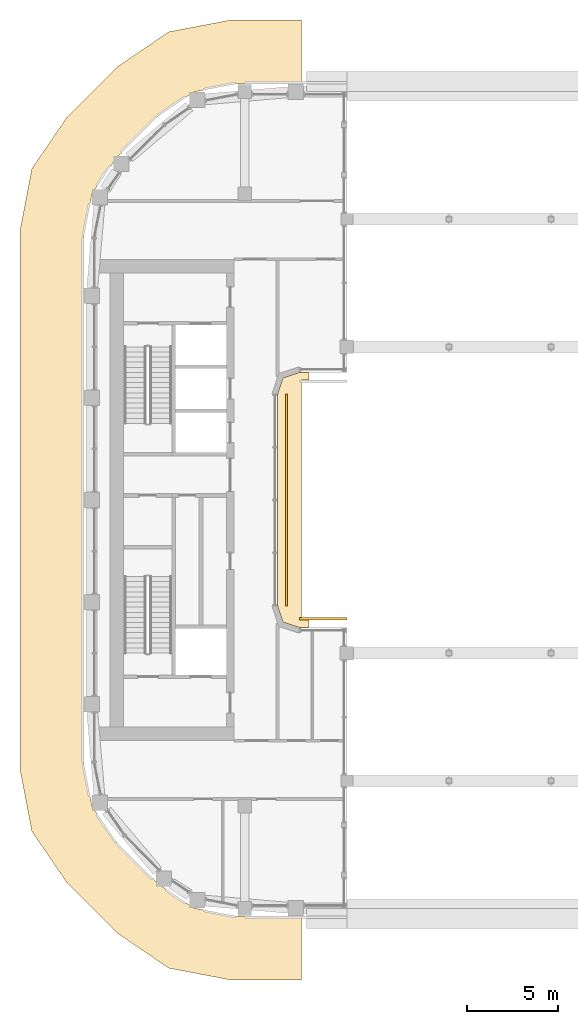
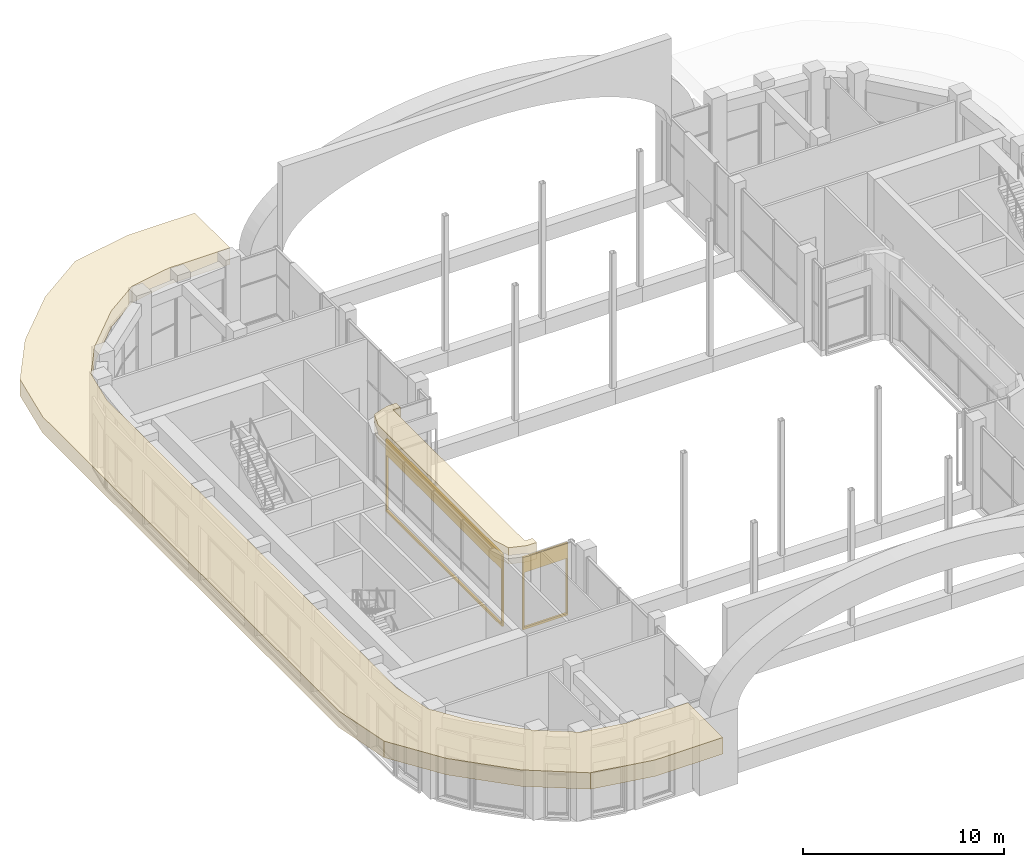
# One storey, part 21 of 26: 4 coverings.
"""IFC4 building model written with IfcOpenShell, lengths in metres."""

from ifc_helpers import new_model, si_unit, direction, frame, origin, place, context, subcontext, project, spatial, polyline, outline, extrude, material, layer, layer_set, type_object, element, save


model = new_model("IFC4")

# Units and contexts
model_context = context("Model", 3, precision=1e-05, world=origin(), true_north=direction((0.0, 1.0)))
body_context = subcontext(model_context, "Body", "Model", "MODEL_VIEW")
ifc_project = project(units=[si_unit("LENGTHUNIT", "METRE"), si_unit("AREAUNIT", "SQUARE_METRE"), si_unit("VOLUMEUNIT", "CUBIC_METRE"), si_unit("PLANEANGLEUNIT", "RADIAN"), si_unit("MASSUNIT", "GRAM", prefix="KILO")], contexts=[model_context])

# Site, building, storey
site_placement = place(None, origin())
site = spatial("IfcSite", under=ifc_project, at=site_placement, CompositionType="ELEMENT")
building_placement = place(site_placement, origin())
building = spatial("IfcBuilding", under=site, at=building_placement, Name="Kiln Ring Residences", CompositionType="ELEMENT")
storey_placement = place(building_placement, frame((0.0, 0.0, 230.89990234375)))
storey = spatial("IfcBuildingStorey", under=building, at=storey_placement, Name="L60", CompositionType="ELEMENT", Elevation=230.89990234375)

# Coverings
ifc_material_1 = material(Name="Brick masonry, dark clay brick", Category="masonry")
ifc_layer_1 = layer(ifc_material_1, 0.1201171875)
ifc_layer_set_1 = layer_set([ifc_layer_1], Name="RAINSCREEN PANEL 120")
covering_type_1 = type_object("IfcCoveringType", Name="RAINSCREEN PANEL 120", PredefinedType="CLADDING", material=ifc_layer_set_1)
covering_1_placement = place(storey_placement, frame((-11.199951171875, -6.514892578125, 0.0), z_axis=(0.0, 0.0, 1.0), x_axis=(-1.0, 0.0, 0.0)))
element("IfcCovering", 1, at=covering_1_placement, inside=storey, type_object=covering_type_1, Name="RAINSCREEN L60", PredefinedType="CLADDING", context=body_context, shape_type="SweptSolid", body=[
    extrude(outline(polyline([(0.0, 0.0), (2.60009765625, 0.0), (2.60009765625, 4.400146484375), (0.0, 4.400146484375), (0.0, 0.0)]), holes=[polyline([(0.080078125, 3.47021484375), (0.080078125, 0.130126953125), (2.52001953125, 0.130126953125), (2.52001953125, 3.47021484375), (0.080078125, 3.47021484375)])]), frame((0.0, 0.06005859375, 0.0), z_axis=(0.0, -1.0, 0.0), x_axis=(1.0, 0.0, 0.0)), (0.0, 0.0, 1.0), 0.1201171875),
])
covering_2_placement = place(storey_placement, frame((-14.514892578125, -5.800048828125, 0.0), z_axis=(0.0, 0.0, 1.0), x_axis=(0.0, 1.0, 0.0)))
element("IfcCovering", 2, at=covering_2_placement, inside=storey, type_object=covering_type_1, Name="RAINSCREEN L60", PredefinedType="CLADDING", context=body_context, shape_type="SweptSolid", body=[
    extrude(outline(polyline([(0.0, 0.0), (11.60009765625, 0.0), (11.60009765625, 4.400146484375), (0.0, 4.400146484375), (0.0, 0.0)]), holes=[polyline([(0.080078125, 3.47021484375), (0.080078125, 0.130126953125), (11.52001953125, 0.130126953125), (11.52001953125, 3.47021484375), (0.080078125, 3.47021484375)])]), frame((0.0, 0.06005859375, 0.0), z_axis=(0.0, -1.0, 0.0), x_axis=(1.0, 0.0, 0.0)), (0.0, 0.0, 1.0), 0.1201171875),
])
ifc_material_2 = material(Name="Black powder-coated steel", Category="steel")
ifc_layer_2 = layer(ifc_material_2, 1.0)
ifc_layer_set_2 = layer_set([ifc_layer_2], Name="SUNSHADE FIN 3500")
covering_type_2 = type_object("IfcCoveringType", Name="SUNSHADE FIN 3500", PredefinedType="CLADDING", material=ifc_layer_set_2)
placement = place(storey_placement, frame((0.0, 0.0, 4.400146484375)))
element("IfcCovering", 3, at=placement, inside=storey, type_object=covering_type_2, Name="SUNSHADE FIN L60", PredefinedType="CLADDING", context=body_context, shape_type="SweptSolid", body=[
    extrude(outline(polyline([(-28.47900390625, 18.158203125), (-29.125, 14.77099609375), (-29.125, -14.77099609375), (-28.47900390625, -18.158203125), (-26.540771484375, -21.010009765625), (-23.81005859375, -23.74072265625), (-20.958251953125, -25.678955078125), (-17.571044921875, -26.324951171875), (-13.699951171875, -26.324951171875), (-13.699951171875, -22.824951171875), (-17.240234375, -22.824951171875), (-19.59033203125, -22.376708984375), (-21.569091796875, -21.031982421875), (-23.831787109375, -18.769287109375), (-25.1767578125, -16.790283203125), (-25.625, -14.440185546875), (-25.625, 14.440185546875), (-25.1767578125, 16.790283203125), (-23.831787109375, 18.769287109375), (-21.569091796875, 21.031982421875), (-19.59033203125, 22.376708984375), (-17.240234375, 22.824951171875), (-13.699951171875, 22.824951171875), (-13.699951171875, 26.324951171875), (-17.571044921875, 26.324951171875), (-20.958251953125, 25.678955078125), (-23.81005859375, 23.74072265625), (-26.540771484375, 21.010009765625), (-28.47900390625, 18.158203125)])), origin(), (0.0, 0.0, 1.0), 1.0),
])
element("IfcCovering", 4, at=placement, inside=storey, type_object=covering_type_2, Name="SUNSHADE FIN L60", PredefinedType="CLADDING", context=body_context, shape_type="SweptSolid", body=[
    extrude(outline(polyline([(-13.699951171875, -6.574951171875), (-13.699951171875, 6.574951171875), (-13.264892578125, 6.574951171875), (-13.264892578125, 7.0), (-13.800048828125, 7.0), (-14.699951171875, 6.699951171875), (-15.0, 5.800048828125), (-15.0, -5.800048828125), (-14.699951171875, -6.699951171875), (-13.800048828125, -7.0), (-13.264892578125, -7.0), (-13.264892578125, -6.574951171875), (-13.699951171875, -6.574951171875)])), origin(), (0.0, 0.0, 1.0), 1.0),
])

save(model, "model.ifc")
